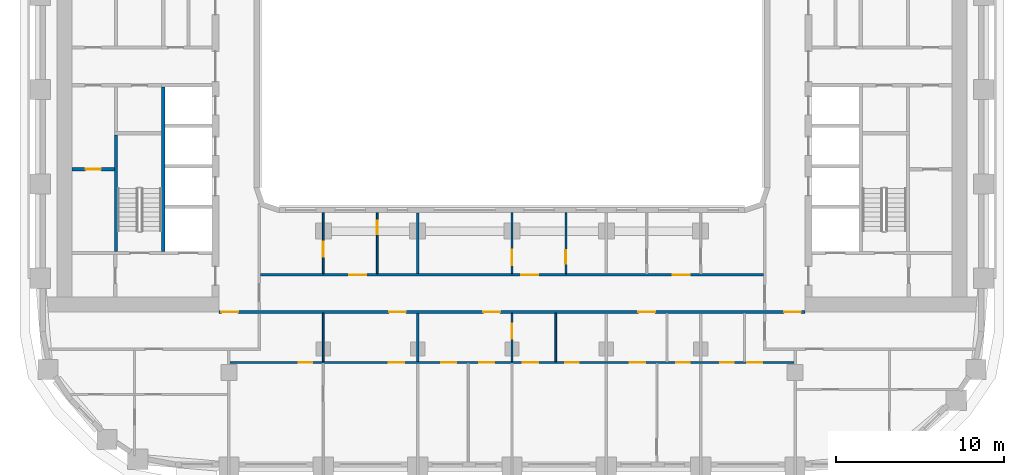
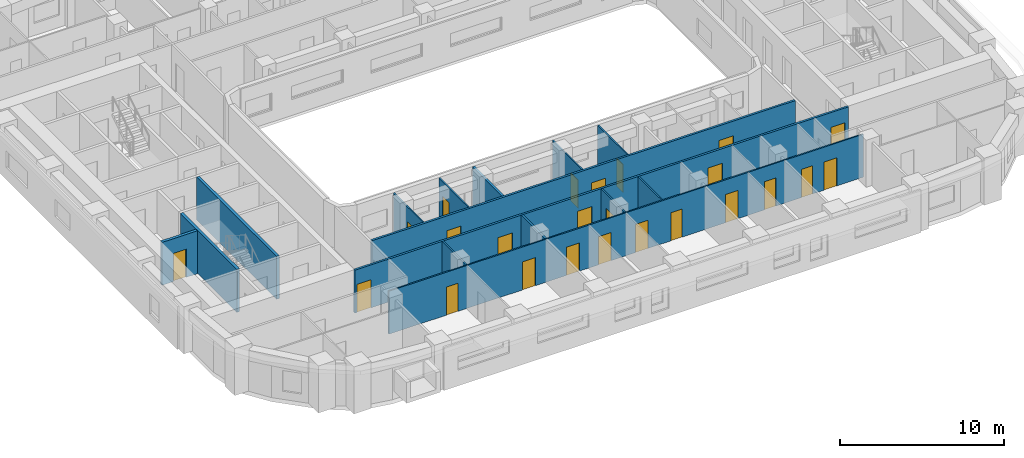
# One storey, part 4 of 23: 24 doors, 15 walls, 24 openings.
"""IFC4 building model written with IfcOpenShell, lengths in metres."""

from ifc_helpers import new_model, si_unit, direction, frame, frame_2d, origin, place, context, subcontext, project, spatial, rectangle, extrude, material, layer, layer_set, type_object, element, fill, save


model = new_model("IFC4")

# Units and contexts
model_context = context("Model", 3, precision=1e-05, world=origin(), true_north=direction((0.0, 1.0)))
body_context = subcontext(model_context, "Body", "Model", "MODEL_VIEW")
ifc_project = project(units=[si_unit("LENGTHUNIT", "METRE"), si_unit("AREAUNIT", "SQUARE_METRE"), si_unit("VOLUMEUNIT", "CUBIC_METRE"), si_unit("PLANEANGLEUNIT", "RADIAN"), si_unit("MASSUNIT", "GRAM", prefix="KILO")], contexts=[model_context])

# Site, building, storey
site_placement = place(None, origin())
site = spatial("IfcSite", under=ifc_project, at=site_placement, CompositionType="ELEMENT")
building_placement = place(site_placement, origin())
building = spatial("IfcBuilding", under=site, at=building_placement, Name="Kiln Ring Residences", CompositionType="ELEMENT")
storey_placement = place(building_placement, frame((0.0, 0.0, 118.300048828125)))
storey = spatial("IfcBuildingStorey", under=building, at=storey_placement, Name="L30", CompositionType="ELEMENT", Elevation=118.300048828125)

# Wall, opening, door
ifc_material_1 = material(Name="Gypsum board on steel studs", Category="steel")
ifc_layer_1 = layer(ifc_material_1, 0.199951171875)
ifc_layer_set_1 = layer_set([ifc_layer_1], Name="CORE-PARTITION-200")
wall_type_1 = type_object("IfcWallType", Name="CORE-PARTITION-200", PredefinedType="PARTITIONING", material=ifc_layer_set_1)
wall_1_placement = place(storey_placement, frame((-23.60009765625, -4.72509765625, 0.0), z_axis=(0.0, 0.0, 1.0), x_axis=(-1.0, 0.0, 0.0)))
wall_1 = element("IfcWall", 1, at=wall_1_placement, inside=storey, type_object=wall_type_1, Name="Core partition west L30 6", PredefinedType="PARTITIONING", context=body_context, shape_type="SweptSolid", body=[
    extrude(rectangle(XDim=2.5, YDim=0.199951171875, at=frame_2d((1.25, 0.0))), origin(), (0.0, 0.0, 1.0), 3.199951171875),
])
opening_1_placement = place(wall_1_placement, frame((0.800048828125, 0.0, 0.0)))
opening_1 = element("IfcOpeningElement", 2, at=opening_1_placement, cuts=wall_1, Name="Opening L30-CW16", PredefinedType="OPENING", context=body_context, shape_type="SweptSolid", body=[
    extrude(rectangle(XDim=0.89990234375, YDim=2.10009765625, at=frame_2d((0.449951171875, 1.050048828125))), frame((0.0, 0.10986328125, 0.0), z_axis=(0.0, -1.0, 0.0), x_axis=(1.0, 0.0, 0.0)), (0.0, 0.0, 1.0), 0.219970703125),
])
ifc_material_2 = material(Name="Steel door leaf", Category="steel")
door_type_1 = type_object("IfcDoorType", Name="CORE-DOOR-ROOM", OperationType="SINGLE_SWING_LEFT", PredefinedType="DOOR", material=ifc_material_2)
door_1_placement = place(opening_1_placement, origin())
door_1 = element("IfcDoor", 3, at=door_1_placement, inside=storey, type_object=door_type_1, Name="Meter room L30-CW16", OperationType="SINGLE_SWING_LEFT", OverallHeight=2.10009765625, OverallWidth=0.89990234375, PredefinedType="DOOR", context=body_context, shape_type="SweptSolid", body=[
    extrude(rectangle(XDim=0.89990234375, YDim=2.10009765625, at=frame_2d((0.449951171875, 1.050048828125))), frame((0.0, 0.02490234375, 0.0), z_axis=(0.0, -1.0, 0.0), x_axis=(1.0, 0.0, 0.0)), (0.0, 0.0, 1.0), 0.050048828125),
])
fill(opening_1, door_1)

# Walls
ifc_material_3 = material(Name="Concrete C40/50", Category="concrete")
ifc_layer_2 = layer(ifc_material_3, 0.199951171875)
ifc_layer_set_2 = layer_set([ifc_layer_2], Name="CORE-WALL-RC200")
wall_type_2 = type_object("IfcWallType", Name="CORE-WALL-RC200", PredefinedType="SHEAR", material=ifc_layer_set_2)
wall_2_placement = place(storey_placement, frame((-20.699951171875, -9.60009765625, 0.0), z_axis=(0.0, 0.0, 1.0), x_axis=(0.0, 1.0, 0.0)))
element("IfcWall", 4, at=wall_2_placement, inside=storey, type_object=wall_type_2, Name="Core wall west L30 2", PredefinedType="SHEAR", context=body_context, shape_type="SweptSolid", body=[
    extrude(rectangle(XDim=9.75, YDim=0.199951171875, at=frame_2d((4.875, 0.0))), origin(), (0.0, 0.0, 1.0), 3.199951171875),
])
wall_3_placement = place(storey_placement, frame((-23.5, -9.60009765625, 0.0), z_axis=(0.0, 0.0, 1.0), x_axis=(0.0, 1.0, 0.0)))
element("IfcWall", 5, at=wall_3_placement, inside=storey, type_object=wall_type_2, Name="Core wall west L30 11", PredefinedType="SHEAR", context=body_context, shape_type="SweptSolid", body=[
    extrude(rectangle(XDim=6.900146484375, YDim=0.199951171875, at=frame_2d((3.4501953125, 0.0))), origin(), (0.0, 0.0, 1.0), 3.199951171875),
])

# Wall, openings, doors
ifc_material_4 = material(Name="Gypsum board on steel studs", Category="steel")
ifc_layer_3 = layer(ifc_material_4, 0.10009765625)
ifc_layer_set_3 = layer_set([ifc_layer_3], Name="PARTITION-100")
wall_type_3 = type_object("IfcWallType", Name="PARTITION-100", PredefinedType="PARTITIONING", material=ifc_layer_set_3)
wall_4_placement = place(storey_placement, frame((-16.72509765625, -16.199951171875, 0.0), z_axis=(0.0, 0.0, 1.0), x_axis=(1.0, 0.0, 0.0)))
wall_4 = element("IfcWall", 6, at=wall_4_placement, inside=storey, type_object=wall_type_3, Name="Partition 002", PredefinedType="PARTITIONING", context=body_context, shape_type="SweptSolid", body=[
    extrude(rectangle(XDim=33.4501953125, YDim=0.10009765625, at=frame_2d((16.72509765625, 0.0))), origin(), (0.0, 0.0, 1.0), 3.199951171875),
])
opening_2_placement = place(wall_4_placement, frame((4.074951171875, 0.0, 0.0)))
opening_2 = element("IfcOpeningElement", 7, at=opening_2_placement, cuts=wall_4, Name="Opening L30-D053", PredefinedType="OPENING", context=body_context, shape_type="SweptSolid", body=[
    extrude(rectangle(XDim=0.800048828125, YDim=2.10009765625, at=frame_2d((0.39990234375, 1.050048828125))), frame((0.0, 0.06005859375, 0.0), z_axis=(0.0, -1.0, 0.0), x_axis=(1.0, 0.0, 0.0)), (0.0, 0.0, 1.0), 0.1201171875),
])
opening_3_placement = place(wall_4_placement, frame((9.425048828125, 0.0, 0.0)))
opening_3 = element("IfcOpeningElement", 8, at=opening_3_placement, cuts=wall_4, Name="Opening L30-D054", PredefinedType="OPENING", context=body_context, shape_type="SweptSolid", body=[
    extrude(rectangle(XDim=0.89990234375, YDim=2.10009765625, at=frame_2d((0.449951171875, 1.050048828125))), frame((0.0, 0.06005859375, 0.0), z_axis=(0.0, -1.0, 0.0), x_axis=(1.0, 0.0, 0.0)), (0.0, 0.0, 1.0), 0.1201171875),
])
opening_4_placement = place(wall_4_placement, frame((19.875, 0.0, 0.0)))
opening_4 = element("IfcOpeningElement", 9, at=opening_4_placement, cuts=wall_4, Name="Opening L30-D058", PredefinedType="OPENING", context=body_context, shape_type="SweptSolid", body=[
    extrude(rectangle(XDim=0.800048828125, YDim=2.10009765625, at=frame_2d((0.39990234375, 1.050048828125))), frame((0.0, 0.06005859375, 0.0), z_axis=(0.0, -1.0, 0.0), x_axis=(1.0, 0.0, 0.0)), (0.0, 0.0, 1.0), 0.1201171875),
])
opening_5_placement = place(wall_4_placement, frame((17.375, 0.0, 0.0)))
opening_5 = element("IfcOpeningElement", 10, at=opening_5_placement, cuts=wall_4, Name="Opening L30-D059", PredefinedType="OPENING", context=body_context, shape_type="SweptSolid", body=[
    extrude(rectangle(XDim=0.89990234375, YDim=2.10009765625, at=frame_2d((0.449951171875, 1.050048828125))), frame((0.0, 0.06005859375, 0.0), z_axis=(0.0, -1.0, 0.0), x_axis=(1.0, 0.0, 0.0)), (0.0, 0.0, 1.0), 0.1201171875),
])
opening_6_placement = place(wall_4_placement, frame((12.52490234375, 0.0, 0.0)))
opening_6 = element("IfcOpeningElement", 11, at=opening_6_placement, cuts=wall_4, Name="Opening L30-D060", PredefinedType="OPENING", context=body_context, shape_type="SweptSolid", body=[
    extrude(rectangle(XDim=0.89990234375, YDim=2.10009765625, at=frame_2d((0.449951171875, 1.050048828125))), frame((0.0, 0.06005859375, 0.0), z_axis=(0.0, -1.0, 0.0), x_axis=(1.0, 0.0, 0.0)), (0.0, 0.0, 1.0), 0.1201171875),
])
opening_7_placement = place(wall_4_placement, frame((14.77490234375, 0.0, 0.0)))
opening_7 = element("IfcOpeningElement", 12, at=opening_7_placement, cuts=wall_4, Name="Opening L30-D061", PredefinedType="OPENING", context=body_context, shape_type="SweptSolid", body=[
    extrude(rectangle(XDim=0.89990234375, YDim=2.10009765625, at=frame_2d((0.449951171875, 1.050048828125))), frame((0.0, 0.06005859375, 0.0), z_axis=(0.0, -1.0, 0.0), x_axis=(1.0, 0.0, 0.0)), (0.0, 0.0, 1.0), 0.1201171875),
])
opening_8_placement = place(wall_4_placement, frame((26.47509765625, 0.0, 0.0)))
opening_8 = element("IfcOpeningElement", 13, at=opening_8_placement, cuts=wall_4, Name="Opening L30-D063", PredefinedType="OPENING", context=body_context, shape_type="SweptSolid", body=[
    extrude(rectangle(XDim=0.800048828125, YDim=2.10009765625, at=frame_2d((0.39990234375, 1.050048828125))), frame((0.0, 0.06005859375, 0.0), z_axis=(0.0, -1.0, 0.0), x_axis=(1.0, 0.0, 0.0)), (0.0, 0.0, 1.0), 0.1201171875),
])
opening_9_placement = place(wall_4_placement, frame((23.72509765625, 0.0, 0.0)))
opening_9 = element("IfcOpeningElement", 14, at=opening_9_placement, cuts=wall_4, Name="Opening L30-D064", PredefinedType="OPENING", context=body_context, shape_type="SweptSolid", body=[
    extrude(rectangle(XDim=0.89990234375, YDim=2.10009765625, at=frame_2d((0.449951171875, 1.050048828125))), frame((0.0, 0.06005859375, 0.0), z_axis=(0.0, -1.0, 0.0), x_axis=(1.0, 0.0, 0.0)), (0.0, 0.0, 1.0), 0.1201171875),
])
opening_10_placement = place(wall_4_placement, frame((29.074951171875, 0.0, 0.0)))
opening_10 = element("IfcOpeningElement", 15, at=opening_10_placement, cuts=wall_4, Name="Opening L30-D067", PredefinedType="OPENING", context=body_context, shape_type="SweptSolid", body=[
    extrude(rectangle(XDim=0.800048828125, YDim=2.10009765625, at=frame_2d((0.39990234375, 1.050048828125))), frame((0.0, 0.06005859375, 0.0), z_axis=(0.0, -1.0, 0.0), x_axis=(1.0, 0.0, 0.0)), (0.0, 0.0, 1.0), 0.1201171875),
])
opening_11_placement = place(wall_4_placement, frame((30.675048828125, 0.0, 0.0)))
opening_11 = element("IfcOpeningElement", 16, at=opening_11_placement, cuts=wall_4, Name="Opening L30-D068", PredefinedType="OPENING", context=body_context, shape_type="SweptSolid", body=[
    extrude(rectangle(XDim=0.89990234375, YDim=2.10009765625, at=frame_2d((0.449951171875, 1.050048828125))), frame((0.0, 0.06005859375, 0.0), z_axis=(0.0, -1.0, 0.0), x_axis=(1.0, 0.0, 0.0)), (0.0, 0.0, 1.0), 0.1201171875),
])
ifc_material_5 = material(Name="Timber door leaf", Category="wood")
door_type_2 = type_object("IfcDoorType", Name="FLAT-DOOR-800-PL", OperationType="SINGLE_SWING_LEFT", PredefinedType="DOOR", material=ifc_material_5)
door_2_placement = place(opening_2_placement, origin())
door_2 = element("IfcDoor", 17, at=door_2_placement, inside=storey, type_object=door_type_2, Name="Door L30-D053", OperationType="SINGLE_SWING_LEFT", OverallHeight=2.10009765625, OverallWidth=0.800048828125, PredefinedType="DOOR", context=body_context, shape_type="SweptSolid", body=[
    extrude(rectangle(XDim=0.800048828125, YDim=2.10009765625, at=frame_2d((0.39990234375, 1.050048828125))), frame((0.0, 0.02490234375, 0.0), z_axis=(0.0, -1.0, 0.0), x_axis=(1.0, 0.0, 0.0)), (0.0, 0.0, 1.0), 0.050048828125),
])
fill(opening_2, door_2)
door_3_placement = place(opening_4_placement, origin())
door_3 = element("IfcDoor", 18, at=door_3_placement, inside=storey, type_object=door_type_2, Name="Door L30-D058", OperationType="SINGLE_SWING_RIGHT", OverallHeight=2.10009765625, OverallWidth=0.800048828125, PredefinedType="DOOR", context=body_context, shape_type="SweptSolid", body=[
    extrude(rectangle(XDim=0.800048828125, YDim=2.10009765625, at=frame_2d((0.39990234375, 1.050048828125))), frame((0.0, 0.02490234375, 0.0), z_axis=(0.0, -1.0, 0.0), x_axis=(1.0, 0.0, 0.0)), (0.0, 0.0, 1.0), 0.050048828125),
])
fill(opening_4, door_3)
door_4_placement = place(opening_8_placement, origin())
door_4 = element("IfcDoor", 19, at=door_4_placement, inside=storey, type_object=door_type_2, Name="Door L30-D063", OperationType="SINGLE_SWING_LEFT", OverallHeight=2.10009765625, OverallWidth=0.800048828125, PredefinedType="DOOR", context=body_context, shape_type="SweptSolid", body=[
    extrude(rectangle(XDim=0.800048828125, YDim=2.10009765625, at=frame_2d((0.39990234375, 1.050048828125))), frame((0.0, 0.02490234375, 0.0), z_axis=(0.0, -1.0, 0.0), x_axis=(1.0, 0.0, 0.0)), (0.0, 0.0, 1.0), 0.050048828125),
])
fill(opening_8, door_4)
door_5_placement = place(opening_10_placement, origin())
door_5 = element("IfcDoor", 20, at=door_5_placement, inside=storey, type_object=door_type_2, Name="Door L30-D067", OperationType="SINGLE_SWING_LEFT", OverallHeight=2.10009765625, OverallWidth=0.800048828125, PredefinedType="DOOR", context=body_context, shape_type="SweptSolid", body=[
    extrude(rectangle(XDim=0.800048828125, YDim=2.10009765625, at=frame_2d((0.39990234375, 1.050048828125))), frame((0.0, 0.02490234375, 0.0), z_axis=(0.0, -1.0, 0.0), x_axis=(1.0, 0.0, 0.0)), (0.0, 0.0, 1.0), 0.050048828125),
])
fill(opening_10, door_5)
ifc_material_6 = material(Name="Timber door leaf", Category="wood")
door_type_3 = type_object("IfcDoorType", Name="FLAT-DOOR-900-PL", OperationType="SINGLE_SWING_LEFT", PredefinedType="DOOR", material=ifc_material_6)
door_6_placement = place(opening_3_placement, origin())
door_6 = element("IfcDoor", 21, at=door_6_placement, inside=storey, type_object=door_type_3, Name="Door L30-D054", OperationType="SINGLE_SWING_RIGHT", OverallHeight=2.10009765625, OverallWidth=0.89990234375, PredefinedType="DOOR", context=body_context, shape_type="SweptSolid", body=[
    extrude(rectangle(XDim=0.89990234375, YDim=2.10009765625, at=frame_2d((0.449951171875, 1.050048828125))), frame((0.0, 0.02490234375, 0.0), z_axis=(0.0, -1.0, 0.0), x_axis=(1.0, 0.0, 0.0)), (0.0, 0.0, 1.0), 0.050048828125),
])
fill(opening_3, door_6)
door_7_placement = place(opening_5_placement, origin())
door_7 = element("IfcDoor", 22, at=door_7_placement, inside=storey, type_object=door_type_3, Name="Door L30-D059", OperationType="SINGLE_SWING_LEFT", OverallHeight=2.10009765625, OverallWidth=0.89990234375, PredefinedType="DOOR", context=body_context, shape_type="SweptSolid", body=[
    extrude(rectangle(XDim=0.89990234375, YDim=2.10009765625, at=frame_2d((0.449951171875, 1.050048828125))), frame((0.0, 0.02490234375, 0.0), z_axis=(0.0, -1.0, 0.0), x_axis=(1.0, 0.0, 0.0)), (0.0, 0.0, 1.0), 0.050048828125),
])
fill(opening_5, door_7)
door_8_placement = place(opening_6_placement, origin())
door_8 = element("IfcDoor", 23, at=door_8_placement, inside=storey, type_object=door_type_3, Name="Door L30-D060", OperationType="SINGLE_SWING_RIGHT", OverallHeight=2.10009765625, OverallWidth=0.89990234375, PredefinedType="DOOR", context=body_context, shape_type="SweptSolid", body=[
    extrude(rectangle(XDim=0.89990234375, YDim=2.10009765625, at=frame_2d((0.449951171875, 1.050048828125))), frame((0.0, 0.02490234375, 0.0), z_axis=(0.0, -1.0, 0.0), x_axis=(1.0, 0.0, 0.0)), (0.0, 0.0, 1.0), 0.050048828125),
])
fill(opening_6, door_8)
door_9_placement = place(opening_7_placement, origin())
door_9 = element("IfcDoor", 24, at=door_9_placement, inside=storey, type_object=door_type_3, Name="Door L30-D061", OperationType="SINGLE_SWING_LEFT", OverallHeight=2.10009765625, OverallWidth=0.89990234375, PredefinedType="DOOR", context=body_context, shape_type="SweptSolid", body=[
    extrude(rectangle(XDim=0.89990234375, YDim=2.10009765625, at=frame_2d((0.449951171875, 1.050048828125))), frame((0.0, 0.02490234375, 0.0), z_axis=(0.0, -1.0, 0.0), x_axis=(1.0, 0.0, 0.0)), (0.0, 0.0, 1.0), 0.050048828125),
])
fill(opening_7, door_9)
door_10_placement = place(opening_9_placement, origin())
door_10 = element("IfcDoor", 25, at=door_10_placement, inside=storey, type_object=door_type_3, Name="Door L30-D064", OperationType="SINGLE_SWING_RIGHT", OverallHeight=2.10009765625, OverallWidth=0.89990234375, PredefinedType="DOOR", context=body_context, shape_type="SweptSolid", body=[
    extrude(rectangle(XDim=0.89990234375, YDim=2.10009765625, at=frame_2d((0.449951171875, 1.050048828125))), frame((0.0, 0.02490234375, 0.0), z_axis=(0.0, -1.0, 0.0), x_axis=(1.0, 0.0, 0.0)), (0.0, 0.0, 1.0), 0.050048828125),
])
fill(opening_9, door_10)
door_11_placement = place(opening_11_placement, origin())
door_11 = element("IfcDoor", 26, at=door_11_placement, inside=storey, type_object=door_type_3, Name="Door L30-D068", OperationType="SINGLE_SWING_LEFT", OverallHeight=2.10009765625, OverallWidth=0.89990234375, PredefinedType="DOOR", context=body_context, shape_type="SweptSolid", body=[
    extrude(rectangle(XDim=0.89990234375, YDim=2.10009765625, at=frame_2d((0.449951171875, 1.050048828125))), frame((0.0, 0.02490234375, 0.0), z_axis=(0.0, -1.0, 0.0), x_axis=(1.0, 0.0, 0.0)), (0.0, 0.0, 1.0), 0.050048828125),
])
fill(opening_11, door_11)

# Wall
wall_5_placement = place(storey_placement, frame((-11.199951171875, -16.14990234375, 0.0), z_axis=(0.0, 0.0, 1.0), x_axis=(0.0, 1.0, 0.0)))
element("IfcWall", 27, at=wall_5_placement, inside=storey, type_object=wall_type_3, Name="Partition 026", PredefinedType="PARTITIONING", context=body_context, shape_type="SweptSolid", body=[
    extrude(rectangle(XDim=2.875, YDim=0.10009765625, at=frame_2d((1.4375, 0.0))), origin(), (0.0, 0.0, 1.0), 3.199951171875),
])

# Wall, opening, door
wall_6_placement = place(storey_placement, frame((-11.199951171875, -10.925048828125, 0.0), z_axis=(0.0, 0.0, 1.0), x_axis=(0.0, 1.0, 0.0)))
wall_6 = element("IfcWall", 28, at=wall_6_placement, inside=storey, type_object=wall_type_3, Name="Partition 027", PredefinedType="PARTITIONING", context=body_context, shape_type="SweptSolid", body=[
    extrude(rectangle(XDim=3.60498046875, YDim=0.10009765625, at=frame_2d((1.802490234375, 0.0))), origin(), (0.0, 0.0, 1.0), 3.199951171875),
])
opening_12_placement = place(wall_6_placement, frame((1.0048828125, 0.0, 0.0)))
opening_12 = element("IfcOpeningElement", 29, at=opening_12_placement, cuts=wall_6, Name="Opening L30-D045", PredefinedType="OPENING", context=body_context, shape_type="SweptSolid", body=[
    extrude(rectangle(XDim=0.89990234375, YDim=2.10009765625, at=frame_2d((0.449951171875, 1.050048828125))), frame((0.0, 0.06005859375, 0.0), z_axis=(0.0, -1.0, 0.0), x_axis=(1.0, 0.0, 0.0)), (0.0, 0.0, 1.0), 0.1201171875),
])
door_12_placement = place(opening_12_placement, origin())
door_12 = element("IfcDoor", 30, at=door_12_placement, inside=storey, type_object=door_type_3, Name="Door L30-D045", OperationType="SINGLE_SWING_RIGHT", OverallHeight=2.10009765625, OverallWidth=0.89990234375, PredefinedType="DOOR", context=body_context, shape_type="SweptSolid", body=[
    extrude(rectangle(XDim=0.89990234375, YDim=2.10009765625, at=frame_2d((0.449951171875, 1.050048828125))), frame((0.0, 0.02490234375, 0.0), z_axis=(0.0, -1.0, 0.0), x_axis=(1.0, 0.0, 0.0)), (0.0, 0.0, 1.0), 0.050048828125),
])
fill(opening_12, door_12)

wall_7_placement = place(storey_placement, frame((-8.0, -10.925048828125, 0.0), z_axis=(0.0, 0.0, 1.0), x_axis=(0.0, 1.0, 0.0)))
wall_7 = element("IfcWall", 31, at=wall_7_placement, inside=storey, type_object=wall_type_3, Name="Partition 032", PredefinedType="PARTITIONING", context=body_context, shape_type="SweptSolid", body=[
    extrude(rectangle(XDim=3.60498046875, YDim=0.10009765625, at=frame_2d((1.802490234375, 0.0))), origin(), (0.0, 0.0, 1.0), 3.199951171875),
])
opening_13_placement = place(wall_7_placement, frame((2.325927734375, 0.0, 0.0)))
opening_13 = element("IfcOpeningElement", 32, at=opening_13_placement, cuts=wall_7, Name="Opening L30-D044", PredefinedType="OPENING", context=body_context, shape_type="SweptSolid", body=[
    extrude(rectangle(XDim=0.800048828125, YDim=2.10009765625, at=frame_2d((0.39990234375, 1.050048828125))), frame((0.0, 0.06005859375, 0.0), z_axis=(0.0, -1.0, 0.0), x_axis=(1.0, 0.0, 0.0)), (0.0, 0.0, 1.0), 0.1201171875),
])
door_13_placement = place(opening_13_placement, origin())
door_13 = element("IfcDoor", 33, at=door_13_placement, inside=storey, type_object=door_type_2, Name="Door L30-D044", OperationType="SINGLE_SWING_RIGHT", OverallHeight=2.10009765625, OverallWidth=0.800048828125, PredefinedType="DOOR", context=body_context, shape_type="SweptSolid", body=[
    extrude(rectangle(XDim=0.800048828125, YDim=2.10009765625, at=frame_2d((0.39990234375, 1.050048828125))), frame((0.0, 0.02490234375, 0.0), z_axis=(0.0, -1.0, 0.0), x_axis=(1.0, 0.0, 0.0)), (0.0, 0.0, 1.0), 0.050048828125),
])
fill(opening_13, door_13)

wall_8_placement = place(storey_placement, frame((0.0, -16.14990234375, 0.0), z_axis=(0.0, 0.0, 1.0), x_axis=(0.0, 1.0, 0.0)))
wall_8 = element("IfcWall", 34, at=wall_8_placement, inside=storey, type_object=wall_type_3, Name="Partition 042", PredefinedType="PARTITIONING", context=body_context, shape_type="SweptSolid", body=[
    extrude(rectangle(XDim=2.875, YDim=0.10009765625, at=frame_2d((1.4375, 0.0))), origin(), (0.0, 0.0, 1.0), 3.199951171875),
])
opening_14_placement = place(wall_8_placement, frame((1.35009765625, 0.0, 0.0)))
opening_14 = element("IfcOpeningElement", 35, at=opening_14_placement, cuts=wall_8, Name="Opening L30-D057", PredefinedType="OPENING", context=body_context, shape_type="SweptSolid", body=[
    extrude(rectangle(XDim=0.89990234375, YDim=2.10009765625, at=frame_2d((0.449951171875, 1.050048828125))), frame((0.0, 0.06005859375, 0.0), z_axis=(0.0, -1.0, 0.0), x_axis=(1.0, 0.0, 0.0)), (0.0, 0.0, 1.0), 0.1201171875),
])
door_14_placement = place(opening_14_placement, origin())
door_14 = element("IfcDoor", 36, at=door_14_placement, inside=storey, type_object=door_type_3, Name="Door L30-D057", OperationType="SINGLE_SWING_RIGHT", OverallHeight=2.10009765625, OverallWidth=0.89990234375, PredefinedType="DOOR", context=body_context, shape_type="SweptSolid", body=[
    extrude(rectangle(XDim=0.89990234375, YDim=2.10009765625, at=frame_2d((0.449951171875, 1.050048828125))), frame((0.0, 0.02490234375, 0.0), z_axis=(0.0, -1.0, 0.0), x_axis=(1.0, 0.0, 0.0)), (0.0, 0.0, 1.0), 0.050048828125),
])
fill(opening_14, door_14)

wall_9_placement = place(storey_placement, frame((0.0, -10.925048828125, 0.0), z_axis=(0.0, 0.0, 1.0), x_axis=(0.0, 1.0, 0.0)))
wall_9 = element("IfcWall", 37, at=wall_9_placement, inside=storey, type_object=wall_type_3, Name="Partition 043", PredefinedType="PARTITIONING", context=body_context, shape_type="SweptSolid", body=[
    extrude(rectangle(XDim=3.60498046875, YDim=0.10009765625, at=frame_2d((1.802490234375, 0.0))), origin(), (0.0, 0.0, 1.0), 3.199951171875),
])
opening_15_placement = place(wall_9_placement, frame((0.5048828125, 0.0, 0.0)))
opening_15 = element("IfcOpeningElement", 38, at=opening_15_placement, cuts=wall_9, Name="Opening L30-D048", PredefinedType="OPENING", context=body_context, shape_type="SweptSolid", body=[
    extrude(rectangle(XDim=0.89990234375, YDim=2.10009765625, at=frame_2d((0.449951171875, 1.050048828125))), frame((0.0, 0.06005859375, 0.0), z_axis=(0.0, -1.0, 0.0), x_axis=(1.0, 0.0, 0.0)), (0.0, 0.0, 1.0), 0.1201171875),
])
door_15_placement = place(opening_15_placement, origin())
door_15 = element("IfcDoor", 39, at=door_15_placement, inside=storey, type_object=door_type_3, Name="Door L30-D048", OperationType="SINGLE_SWING_RIGHT", OverallHeight=2.10009765625, OverallWidth=0.89990234375, PredefinedType="DOOR", context=body_context, shape_type="SweptSolid", body=[
    extrude(rectangle(XDim=0.89990234375, YDim=2.10009765625, at=frame_2d((0.449951171875, 1.050048828125))), frame((0.0, 0.02490234375, 0.0), z_axis=(0.0, -1.0, 0.0), x_axis=(1.0, 0.0, 0.0)), (0.0, 0.0, 1.0), 0.050048828125),
])
fill(opening_15, door_15)

# Wall
wall_10_placement = place(storey_placement, frame((2.60009765625, -16.14990234375, 0.0), z_axis=(0.0, 0.0, 1.0), x_axis=(0.0, 1.0, 0.0)))
element("IfcWall", 40, at=wall_10_placement, inside=storey, type_object=wall_type_3, Name="Partition 047", PredefinedType="PARTITIONING", context=body_context, shape_type="SweptSolid", body=[
    extrude(rectangle(XDim=2.875, YDim=0.10009765625, at=frame_2d((1.4375, 0.0))), origin(), (0.0, 0.0, 1.0), 3.199951171875),
])

# Wall, opening, door
wall_11_placement = place(storey_placement, frame((3.199951171875, -10.925048828125, 0.0), z_axis=(0.0, 0.0, 1.0), x_axis=(0.0, 1.0, 0.0)))
wall_11 = element("IfcWall", 41, at=wall_11_placement, inside=storey, type_object=wall_type_3, Name="Partition 048", PredefinedType="PARTITIONING", context=body_context, shape_type="SweptSolid", body=[
    extrude(rectangle(XDim=3.60498046875, YDim=0.10009765625, at=frame_2d((1.802490234375, 0.0))), origin(), (0.0, 0.0, 1.0), 3.199951171875),
])
opening_16_placement = place(wall_11_placement, frame((0.575927734375, 0.0, 0.0)))
opening_16 = element("IfcOpeningElement", 42, at=opening_16_placement, cuts=wall_11, Name="Opening L30-D047", PredefinedType="OPENING", context=body_context, shape_type="SweptSolid", body=[
    extrude(rectangle(XDim=0.800048828125, YDim=2.10009765625, at=frame_2d((0.39990234375, 1.050048828125))), frame((0.0, 0.06005859375, 0.0), z_axis=(0.0, -1.0, 0.0), x_axis=(1.0, 0.0, 0.0)), (0.0, 0.0, 1.0), 0.1201171875),
])
door_16_placement = place(opening_16_placement, origin())
door_16 = element("IfcDoor", 43, at=door_16_placement, inside=storey, type_object=door_type_2, Name="Door L30-D047", OperationType="SINGLE_SWING_LEFT", OverallHeight=2.10009765625, OverallWidth=0.800048828125, PredefinedType="DOOR", context=body_context, shape_type="SweptSolid", body=[
    extrude(rectangle(XDim=0.800048828125, YDim=2.10009765625, at=frame_2d((0.39990234375, 1.050048828125))), frame((0.0, 0.02490234375, 0.0), z_axis=(0.0, -1.0, 0.0), x_axis=(1.0, 0.0, 0.0)), (0.0, 0.0, 1.0), 0.050048828125),
])
fill(opening_16, door_16)

# Wall, openings, doors
ifc_material_7 = material(Name="Brick masonry partition", Category="masonry")
ifc_layer_4 = layer(ifc_material_7, 0.14990234375)
ifc_layer_set_4 = layer_set([ifc_layer_4], Name="PARTITION-150-ei60")
wall_type_4 = type_object("IfcWallType", Name="PARTITION-150-ei60", PredefinedType="PARTITIONING", material=ifc_layer_set_4)
wall_12_placement = place(storey_placement, frame((-17.39990234375, -13.199951171875, 0.0), z_axis=(0.0, 0.0, 1.0), x_axis=(1.0, 0.0, 0.0)))
wall_12 = element("IfcWall", 44, at=wall_12_placement, inside=storey, type_object=wall_type_4, Name="Partition 005", PredefinedType="PARTITIONING", context=body_context, shape_type="SweptSolid", body=[
    extrude(rectangle(XDim=34.7998046875, YDim=0.14990234375, at=frame_2d((17.39990234375, 0.0))), origin(), (0.0, 0.0, 1.0), 3.199951171875),
])
opening_17_placement = place(wall_12_placement, frame((0.14990234375, 0.0, 0.0)))
opening_17 = element("IfcOpeningElement", 45, at=opening_17_placement, cuts=wall_12, Name="Opening L30-D007", PredefinedType="OPENING", context=body_context, shape_type="SweptSolid", body=[
    extrude(rectangle(XDim=1.0, YDim=2.10009765625, at=frame_2d((0.5, 1.050048828125))), frame((0.0, 0.0849609375, 0.0), z_axis=(0.0, -1.0, 0.0), x_axis=(1.0, 0.0, 0.0)), (0.0, 0.0, 1.0), 0.169921875),
])
opening_18_placement = place(wall_12_placement, frame((33.550048828125, 0.0, 0.0)))
opening_18 = element("IfcOpeningElement", 46, at=opening_18_placement, cuts=wall_12, Name="Opening L30-D008", PredefinedType="OPENING", context=body_context, shape_type="SweptSolid", body=[
    extrude(rectangle(XDim=1.0, YDim=2.10009765625, at=frame_2d((0.5, 1.050048828125))), frame((0.0, 0.0849609375, 0.0), z_axis=(0.0, -1.0, 0.0), x_axis=(1.0, 0.0, 0.0)), (0.0, 0.0, 1.0), 0.169921875),
])
opening_19_placement = place(wall_12_placement, frame((10.10009765625, 0.0, 0.0)))
opening_19 = element("IfcOpeningElement", 47, at=opening_19_placement, cuts=wall_12, Name="Opening L30-D052", PredefinedType="OPENING", context=body_context, shape_type="SweptSolid", body=[
    extrude(rectangle(XDim=1.0, YDim=2.10009765625, at=frame_2d((0.5, 1.050048828125))), frame((0.0, 0.0849609375, 0.0), z_axis=(0.0, -1.0, 0.0), x_axis=(1.0, 0.0, 0.0)), (0.0, 0.0, 1.0), 0.169921875),
])
opening_20_placement = place(wall_12_placement, frame((15.699951171875, 0.0, 0.0)))
opening_20 = element("IfcOpeningElement", 48, at=opening_20_placement, cuts=wall_12, Name="Opening L30-D056", PredefinedType="OPENING", context=body_context, shape_type="SweptSolid", body=[
    extrude(rectangle(XDim=1.0, YDim=2.10009765625, at=frame_2d((0.5, 1.050048828125))), frame((0.0, 0.0849609375, 0.0), z_axis=(0.0, -1.0, 0.0), x_axis=(1.0, 0.0, 0.0)), (0.0, 0.0, 1.0), 0.169921875),
])
opening_21_placement = place(wall_12_placement, frame((24.89990234375, 0.0, 0.0)))
opening_21 = element("IfcOpeningElement", 49, at=opening_21_placement, cuts=wall_12, Name="Opening L30-D062", PredefinedType="OPENING", context=body_context, shape_type="SweptSolid", body=[
    extrude(rectangle(XDim=1.0, YDim=2.10009765625, at=frame_2d((0.5, 1.050048828125))), frame((0.0, 0.0849609375, 0.0), z_axis=(0.0, -1.0, 0.0), x_axis=(1.0, 0.0, 0.0)), (0.0, 0.0, 1.0), 0.169921875),
])
ifc_material_8 = material(Name="Steel faced fire door leaf", Category="steel")
door_type_4 = type_object("IfcDoorType", Name="FLAT-DOOR-1000-FR", OperationType="SINGLE_SWING_LEFT", PredefinedType="DOOR", material=ifc_material_8)
door_17_placement = place(opening_17_placement, origin())
door_17 = element("IfcDoor", 50, at=door_17_placement, inside=storey, type_object=door_type_4, Name="Door L30-D007", OperationType="SINGLE_SWING_RIGHT", OverallHeight=2.10009765625, OverallWidth=1.0, PredefinedType="DOOR", context=body_context, shape_type="SweptSolid", body=[
    extrude(rectangle(XDim=1.0, YDim=2.10009765625, at=frame_2d((0.5, 1.050048828125))), frame((0.0, 0.02490234375, 0.0), z_axis=(0.0, -1.0, 0.0), x_axis=(1.0, 0.0, 0.0)), (0.0, 0.0, 1.0), 0.050048828125),
])
fill(opening_17, door_17)
door_18_placement = place(opening_18_placement, origin())
door_18 = element("IfcDoor", 51, at=door_18_placement, inside=storey, type_object=door_type_4, Name="Door L30-D008", OperationType="SINGLE_SWING_LEFT", OverallHeight=2.10009765625, OverallWidth=1.0, PredefinedType="DOOR", context=body_context, shape_type="SweptSolid", body=[
    extrude(rectangle(XDim=1.0, YDim=2.10009765625, at=frame_2d((0.5, 1.050048828125))), frame((0.0, 0.02490234375, 0.0), z_axis=(0.0, -1.0, 0.0), x_axis=(1.0, 0.0, 0.0)), (0.0, 0.0, 1.0), 0.050048828125),
])
fill(opening_18, door_18)
door_19_placement = place(opening_19_placement, origin())
door_19 = element("IfcDoor", 52, at=door_19_placement, inside=storey, type_object=door_type_4, Name="Door L30-D052", OperationType="SINGLE_SWING_RIGHT", OverallHeight=2.10009765625, OverallWidth=1.0, PredefinedType="DOOR", context=body_context, shape_type="SweptSolid", body=[
    extrude(rectangle(XDim=1.0, YDim=2.10009765625, at=frame_2d((0.5, 1.050048828125))), frame((0.0, 0.02490234375, 0.0), z_axis=(0.0, -1.0, 0.0), x_axis=(1.0, 0.0, 0.0)), (0.0, 0.0, 1.0), 0.050048828125),
])
fill(opening_19, door_19)
door_20_placement = place(opening_20_placement, origin())
door_20 = element("IfcDoor", 53, at=door_20_placement, inside=storey, type_object=door_type_4, Name="Door L30-D056", OperationType="SINGLE_SWING_RIGHT", OverallHeight=2.10009765625, OverallWidth=1.0, PredefinedType="DOOR", context=body_context, shape_type="SweptSolid", body=[
    extrude(rectangle(XDim=1.0, YDim=2.10009765625, at=frame_2d((0.5, 1.050048828125))), frame((0.0, 0.02490234375, 0.0), z_axis=(0.0, -1.0, 0.0), x_axis=(1.0, 0.0, 0.0)), (0.0, 0.0, 1.0), 0.050048828125),
])
fill(opening_20, door_20)
door_21_placement = place(opening_21_placement, origin())
door_21 = element("IfcDoor", 54, at=door_21_placement, inside=storey, type_object=door_type_4, Name="Door L30-D062", OperationType="SINGLE_SWING_RIGHT", OverallHeight=2.10009765625, OverallWidth=1.0, PredefinedType="DOOR", context=body_context, shape_type="SweptSolid", body=[
    extrude(rectangle(XDim=1.0, YDim=2.10009765625, at=frame_2d((0.5, 1.050048828125))), frame((0.0, 0.02490234375, 0.0), z_axis=(0.0, -1.0, 0.0), x_axis=(1.0, 0.0, 0.0)), (0.0, 0.0, 1.0), 0.050048828125),
])
fill(opening_21, door_21)

wall_13_placement = place(storey_placement, frame((-14.925048828125, -11.0, 0.0), z_axis=(0.0, 0.0, 1.0), x_axis=(1.0, 0.0, 0.0)))
wall_13 = element("IfcWall", 55, at=wall_13_placement, inside=storey, type_object=wall_type_4, Name="Partition 006", PredefinedType="PARTITIONING", context=body_context, shape_type="SweptSolid", body=[
    extrude(rectangle(XDim=29.85009765625, YDim=0.14990234375, at=frame_2d((14.925048828125, 0.0))), origin(), (0.0, 0.0, 1.0), 3.199951171875),
])
opening_22_placement = place(wall_13_placement, frame((5.27490234375, 0.0, 0.0)))
opening_22 = element("IfcOpeningElement", 56, at=opening_22_placement, cuts=wall_13, Name="Opening L30-D043", PredefinedType="OPENING", context=body_context, shape_type="SweptSolid", body=[
    extrude(rectangle(XDim=1.0, YDim=2.10009765625, at=frame_2d((0.5, 1.050048828125))), frame((0.0, 0.0849609375, 0.0), z_axis=(0.0, -1.0, 0.0), x_axis=(1.0, 0.0, 0.0)), (0.0, 0.0, 1.0), 0.169921875),
])
opening_23_placement = place(wall_13_placement, frame((15.47509765625, 0.0, 0.0)))
opening_23 = element("IfcOpeningElement", 57, at=opening_23_placement, cuts=wall_13, Name="Opening L30-D046", PredefinedType="OPENING", context=body_context, shape_type="SweptSolid", body=[
    extrude(rectangle(XDim=1.0, YDim=2.10009765625, at=frame_2d((0.5, 1.050048828125))), frame((0.0, 0.0849609375, 0.0), z_axis=(0.0, -1.0, 0.0), x_axis=(1.0, 0.0, 0.0)), (0.0, 0.0, 1.0), 0.169921875),
])
opening_24_placement = place(wall_13_placement, frame((24.47509765625, 0.0, 0.0)))
opening_24 = element("IfcOpeningElement", 58, at=opening_24_placement, cuts=wall_13, Name="Opening L30-D049", PredefinedType="OPENING", context=body_context, shape_type="SweptSolid", body=[
    extrude(rectangle(XDim=1.0, YDim=2.10009765625, at=frame_2d((0.5, 1.050048828125))), frame((0.0, 0.0849609375, 0.0), z_axis=(0.0, -1.0, 0.0), x_axis=(1.0, 0.0, 0.0)), (0.0, 0.0, 1.0), 0.169921875),
])
door_22_placement = place(opening_22_placement, origin())
door_22 = element("IfcDoor", 59, at=door_22_placement, inside=storey, type_object=door_type_4, Name="Door L30-D043", OperationType="SINGLE_SWING_LEFT", OverallHeight=2.10009765625, OverallWidth=1.0, PredefinedType="DOOR", context=body_context, shape_type="SweptSolid", body=[
    extrude(rectangle(XDim=1.0, YDim=2.10009765625, at=frame_2d((0.5, 1.050048828125))), frame((0.0, 0.02490234375, 0.0), z_axis=(0.0, -1.0, 0.0), x_axis=(1.0, 0.0, 0.0)), (0.0, 0.0, 1.0), 0.050048828125),
])
fill(opening_22, door_22)
door_23_placement = place(opening_23_placement, origin())
door_23 = element("IfcDoor", 60, at=door_23_placement, inside=storey, type_object=door_type_4, Name="Door L30-D046", OperationType="SINGLE_SWING_RIGHT", OverallHeight=2.10009765625, OverallWidth=1.0, PredefinedType="DOOR", context=body_context, shape_type="SweptSolid", body=[
    extrude(rectangle(XDim=1.0, YDim=2.10009765625, at=frame_2d((0.5, 1.050048828125))), frame((0.0, 0.02490234375, 0.0), z_axis=(0.0, -1.0, 0.0), x_axis=(1.0, 0.0, 0.0)), (0.0, 0.0, 1.0), 0.050048828125),
])
fill(opening_23, door_23)
door_24_placement = place(opening_24_placement, origin())
door_24 = element("IfcDoor", 61, at=door_24_placement, inside=storey, type_object=door_type_4, Name="Door L30-D049", OperationType="SINGLE_SWING_LEFT", OverallHeight=2.10009765625, OverallWidth=1.0, PredefinedType="DOOR", context=body_context, shape_type="SweptSolid", body=[
    extrude(rectangle(XDim=1.0, YDim=2.10009765625, at=frame_2d((0.5, 1.050048828125))), frame((0.0, 0.02490234375, 0.0), z_axis=(0.0, -1.0, 0.0), x_axis=(1.0, 0.0, 0.0)), (0.0, 0.0, 1.0), 0.050048828125),
])
fill(opening_24, door_24)

# Walls
wall_14_placement = place(storey_placement, frame((-5.60009765625, -16.14990234375, 0.0), z_axis=(0.0, 0.0, 1.0), x_axis=(0.0, 1.0, 0.0)))
element("IfcWall", 62, at=wall_14_placement, inside=storey, type_object=wall_type_4, Name="Partition 035", PredefinedType="PARTITIONING", context=body_context, shape_type="SweptSolid", body=[
    extrude(rectangle(XDim=2.875, YDim=0.14990234375, at=frame_2d((1.4375, 0.0))), origin(), (0.0, 0.0, 1.0), 3.199951171875),
])
wall_15_placement = place(storey_placement, frame((-5.60009765625, -10.925048828125, 0.0), z_axis=(0.0, 0.0, 1.0), x_axis=(0.0, 1.0, 0.0)))
element("IfcWall", 63, at=wall_15_placement, inside=storey, type_object=wall_type_4, Name="Partition 036", PredefinedType="PARTITIONING", context=body_context, shape_type="SweptSolid", body=[
    extrude(rectangle(XDim=3.60498046875, YDim=0.14990234375, at=frame_2d((1.802490234375, 0.0))), origin(), (0.0, 0.0, 1.0), 3.199951171875),
])

save(model, "model.ifc")
